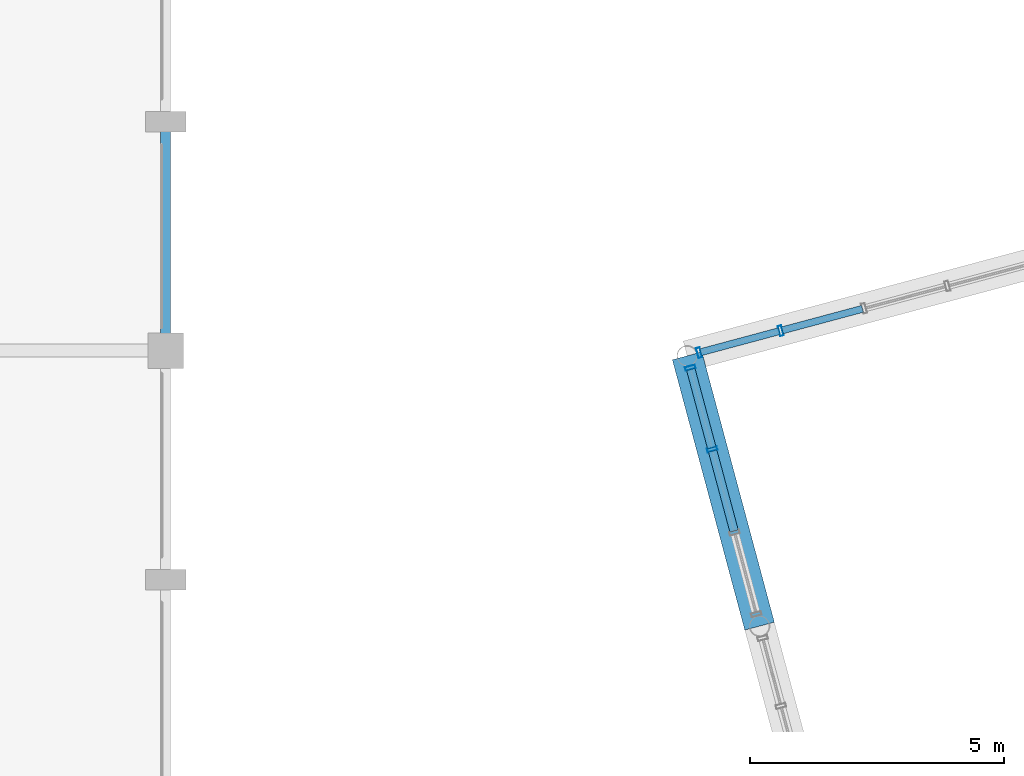
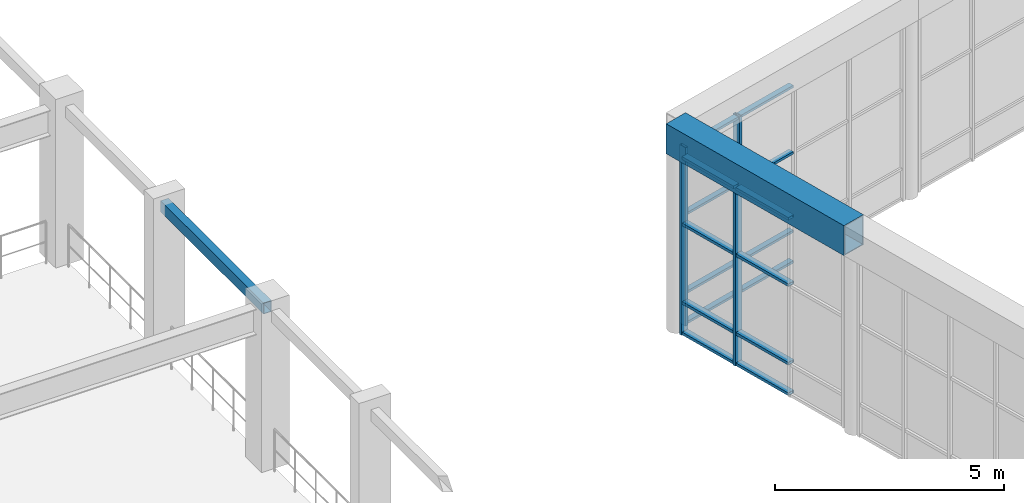
# One storey, part 25 of 55: 20 members, 2 beams, 2 elements without a shape of their own.
"""IFC4 building model written with IfcOpenShell, lengths in metres."""

from ifc_helpers import new_model, si_unit, direction, frame, origin, origin_2d, place, context, subcontext, project, spatial, hollow_rectangle, extrude, material, layer, layer_set, material_profile, profile_set, type_object, element, aggregate, save


model = new_model("IFC4")

# Units and contexts
model_context = context("Model", 3, precision=1e-05, world=origin(), true_north=direction((0.0, 1.0)))
body_context = subcontext(model_context, "Body", "Model", "MODEL_VIEW")
ifc_project = project(units=[si_unit("LENGTHUNIT", "METRE"), si_unit("AREAUNIT", "SQUARE_METRE"), si_unit("VOLUMEUNIT", "CUBIC_METRE"), si_unit("PLANEANGLEUNIT", "RADIAN"), si_unit("MASSUNIT", "GRAM", prefix="KILO")], contexts=[model_context])

# Site, building, storey
site_placement = place(None, origin())
site = spatial("IfcSite", under=ifc_project, at=site_placement, CompositionType="ELEMENT")
building_placement = place(site_placement, origin())
building = spatial("IfcBuilding", under=site, at=building_placement, Name="Ventoquebrada Cableway Terminal", CompositionType="ELEMENT")
storey_placement = place(building_placement, frame((0.0, 0.0, 14.39990234375)))
storey = spatial("IfcBuildingStorey", under=building, at=storey_placement, Name="L03", CompositionType="ELEMENT", Elevation=14.39990234375)

# Curtain wall, members
ifc_material_1 = material(Name="Anodized thermally-broken aluminium", Category="aluminium")
ifc_layer_1 = layer(ifc_material_1, 0.159912109375)
ifc_layer_set_1 = layer_set([ifc_layer_1], Name="Anodized thermally-broken aluminium")
curtain_wall_type_1 = type_object("IfcCurtainWallType", Name="CW-T42", PredefinedType="USERDEFINED", material=ifc_layer_set_1)
curtain_wall_1_placement = place(storey_placement, origin())
curtain_wall_1 = element("IfcCurtainWall", 1, at=curtain_wall_1_placement, inside=storey, type_object=curtain_wall_type_1, Name="Unitised glazed curtain wall CW-120", ObjectType="UNITISED CURTAIN WALL", PredefinedType="USERDEFINED")
ifc_material_profile_1 = material_profile(ifc_material_1, hollow_rectangle(XDim=0.074951171875, YDim=0.199951171875, WallThickness=0.00439453125, at=origin_2d()), Name="CW-MUL-75X200")
ifc_profile_set_1 = profile_set([ifc_material_profile_1], Name="Anodized thermally-broken aluminium")
member_type_1 = type_object("IfcMemberType", Name="CWM-02", PredefinedType="MULLION", material=ifc_profile_set_1)
member_1_placement = place(storey_placement, frame((47.087890625, 95.39111328125, -0.0078125), z_axis=(0.0, 0.0, 1.0), x_axis=(-0.965912273231, -0.258869620506, 0.0)))
member_1 = element("IfcMember", 2, at=member_1_placement, type_object=member_type_1, Name="Curtain wall mullion FML-0584", PredefinedType="MULLION", context=body_context, shape_type="SweptSolid", body=[
    extrude(hollow_rectangle(XDim=0.074951171875, YDim=0.199951171875, WallThickness=0.00439453125, at=origin_2d()), origin(), (0.0, 0.0, 1.0), 4.762939453125),
])
member_2_placement = place(storey_placement, frame((45.48388671875, 94.9609375, -0.0078125), z_axis=(0.0, 0.0, 1.0), x_axis=(-0.965912273231, -0.258869620506, 0.0)))
member_2 = element("IfcMember", 3, at=member_2_placement, type_object=member_type_1, Name="Curtain wall mullion FML-0585", PredefinedType="MULLION", context=body_context, shape_type="SweptSolid", body=[
    extrude(hollow_rectangle(XDim=0.074951171875, YDim=0.199951171875, WallThickness=0.00439453125, at=origin_2d()), origin(), (0.0, 0.0, 1.0), 4.762939453125),
])

ifc_layer_2 = layer(ifc_material_1, 0.159912109375)
ifc_layer_set_2 = layer_set([ifc_layer_2], Name="Anodized thermally-broken aluminium")
curtain_wall_type_2 = type_object("IfcCurtainWallType", Name="CW-T43", PredefinedType="USERDEFINED", material=ifc_layer_set_2)
curtain_wall_2_placement = place(storey_placement, origin())
curtain_wall_2 = element("IfcCurtainWall", 4, at=curtain_wall_2_placement, inside=storey, type_object=curtain_wall_type_2, Name="Unitised glazed curtain wall CW-128", ObjectType="UNITISED CURTAIN WALL", PredefinedType="USERDEFINED")
member_3_placement = place(storey_placement, frame((45.31201171875, 94.6630859375, -0.0078125), z_axis=(0.0, 0.0, 1.0), x_axis=(0.258701033069, -0.965957439792, 0.0)))
member_3 = element("IfcMember", 5, at=member_3_placement, type_object=member_type_1, Name="Curtain wall mullion FML-0622", PredefinedType="MULLION", context=body_context, shape_type="SweptSolid", body=[
    extrude(hollow_rectangle(XDim=0.074951171875, YDim=0.199951171875, WallThickness=0.00439453125, at=origin_2d()), origin(), (0.0, 0.0, 1.0), 4.762939453125),
])
member_4_placement = place(storey_placement, frame((45.740966796875, 93.06005859375, -0.0078125), z_axis=(0.0, 0.0, 1.0), x_axis=(0.258701033069, -0.965957439792, 0.0)))
member_4 = element("IfcMember", 6, at=member_4_placement, type_object=member_type_1, Name="Curtain wall mullion FML-0623", PredefinedType="MULLION", context=body_context, shape_type="SweptSolid", body=[
    extrude(hollow_rectangle(XDim=0.074951171875, YDim=0.199951171875, WallThickness=0.00439453125, at=origin_2d()), origin(), (0.0, 0.0, 1.0), 4.762939453125),
])

# Member
ifc_material_profile_2 = material_profile(ifc_material_1, hollow_rectangle(XDim=0.06494140625, YDim=0.139892578125, WallThickness=0.00390625, at=origin_2d()), Name="CW-TRN-65X140")
ifc_profile_set_2 = profile_set([ifc_material_profile_2], Name="Anodized thermally-broken aluminium")
member_type_2 = type_object("IfcMemberType", Name="CWT-01", PredefinedType="USERDEFINED", material=ifc_profile_set_2)
member_5_placement = place(storey_placement, frame((48.695068359375, 95.822021484375, 0.03515625), z_axis=(-0.965809040644, -0.259254502391, 0.0), x_axis=(0.0, 0.0, 1.0)))
member_5 = element("IfcMember", 7, at=member_5_placement, type_object=member_type_2, Name="Curtain wall transom FTR-1720", ObjectType="TRANSOM", PredefinedType="USERDEFINED", context=body_context, shape_type="SweptSolid", body=[
    extrude(hollow_rectangle(XDim=0.06494140625, YDim=0.139892578125, WallThickness=0.00390625, at=origin_2d()), origin(), (0.0, 0.0, 1.0), 1.632080078125),
])

member_6_placement = place(storey_placement, frame((48.695068359375, 95.822021484375, 0.85009765625), z_axis=(-0.965809040644, -0.259254502391, 0.0), x_axis=(0.0, 0.0, 1.0)))
member_6 = element("IfcMember", 8, at=member_6_placement, type_object=member_type_2, Name="Curtain wall transom FTR-1721", ObjectType="TRANSOM", PredefinedType="USERDEFINED", context=body_context, shape_type="SweptSolid", body=[
    extrude(hollow_rectangle(XDim=0.06494140625, YDim=0.139892578125, WallThickness=0.00390625, at=origin_2d()), origin(), (0.0, 0.0, 1.0), 1.632080078125),
])

member_7_placement = place(storey_placement, frame((48.695068359375, 95.822021484375, 2.945068359375), z_axis=(-0.965809040644, -0.259254502391, 0.0), x_axis=(0.0, 0.0, 1.0)))
member_7 = element("IfcMember", 9, at=member_7_placement, type_object=member_type_2, Name="Curtain wall transom FTR-1722", ObjectType="TRANSOM", PredefinedType="USERDEFINED", context=body_context, shape_type="SweptSolid", body=[
    extrude(hollow_rectangle(XDim=0.06494140625, YDim=0.139892578125, WallThickness=0.00390625, at=origin_2d()), origin(), (0.0, 0.0, 1.0), 1.632080078125),
])

member_8_placement = place(storey_placement, frame((48.695068359375, 95.822021484375, 4.715087890625), z_axis=(-0.965809040644, -0.259254502391, 0.0), x_axis=(0.0, 0.0, 1.0)))
member_8 = element("IfcMember", 10, at=member_8_placement, type_object=member_type_2, Name="Curtain wall transom FTR-1723", ObjectType="TRANSOM", PredefinedType="USERDEFINED", context=body_context, shape_type="SweptSolid", body=[
    extrude(hollow_rectangle(XDim=0.06494140625, YDim=0.139892578125, WallThickness=0.00390625, at=origin_2d()), origin(), (0.0, 0.0, 1.0), 1.632080078125),
])

member_9_placement = place(storey_placement, frame((47.056884765625, 95.383056640625, 0.03515625), z_axis=(-0.965786809484, -0.259337306663, 0.0), x_axis=(0.0, 0.0, 1.0)))
member_9 = element("IfcMember", 11, at=member_9_placement, type_object=member_type_2, Name="Curtain wall transom FTR-1724", ObjectType="TRANSOM", PredefinedType="USERDEFINED", context=body_context, shape_type="SweptSolid", body=[
    extrude(hollow_rectangle(XDim=0.06494140625, YDim=0.139892578125, WallThickness=0.00390625, at=origin_2d()), origin(), (0.0, 0.0, 1.0), 1.5966796875),
])

member_10_placement = place(storey_placement, frame((47.056884765625, 95.383056640625, 0.85009765625), z_axis=(-0.965786809484, -0.259337306663, 0.0), x_axis=(0.0, 0.0, 1.0)))
member_10 = element("IfcMember", 12, at=member_10_placement, type_object=member_type_2, Name="Curtain wall transom FTR-1725", ObjectType="TRANSOM", PredefinedType="USERDEFINED", context=body_context, shape_type="SweptSolid", body=[
    extrude(hollow_rectangle(XDim=0.06494140625, YDim=0.139892578125, WallThickness=0.00390625, at=origin_2d()), origin(), (0.0, 0.0, 1.0), 1.5966796875),
])

member_11_placement = place(storey_placement, frame((47.056884765625, 95.383056640625, 2.945068359375), z_axis=(-0.965786809484, -0.259337306663, 0.0), x_axis=(0.0, 0.0, 1.0)))
member_11 = element("IfcMember", 13, at=member_11_placement, type_object=member_type_2, Name="Curtain wall transom FTR-1726", ObjectType="TRANSOM", PredefinedType="USERDEFINED", context=body_context, shape_type="SweptSolid", body=[
    extrude(hollow_rectangle(XDim=0.06494140625, YDim=0.139892578125, WallThickness=0.00390625, at=origin_2d()), origin(), (0.0, 0.0, 1.0), 1.5966796875),
])

member_12_placement = place(storey_placement, frame((47.056884765625, 95.383056640625, 4.715087890625), z_axis=(-0.965786809484, -0.259337306663, 0.0), x_axis=(0.0, 0.0, 1.0)))
member_12 = element("IfcMember", 14, at=member_12_placement, type_object=member_type_2, Name="Curtain wall transom FTR-1727", ObjectType="TRANSOM", PredefinedType="USERDEFINED", context=body_context, shape_type="SweptSolid", body=[
    extrude(hollow_rectangle(XDim=0.06494140625, YDim=0.139892578125, WallThickness=0.00390625, at=origin_2d()), origin(), (0.0, 0.0, 1.0), 1.5966796875),
])

aggregate(curtain_wall_1, [member_1, member_2, member_5, member_6, member_7, member_8, member_9, member_10, member_11, member_12])

ifc_material_profile_3 = material_profile(ifc_material_1, hollow_rectangle(XDim=0.074951171875, YDim=0.169921875, WallThickness=0.00439453125, at=origin_2d()), Name="CW-TRN-75X170")
ifc_profile_set_3 = profile_set([ifc_material_profile_3], Name="Anodized thermally-broken aluminium")
member_type_3 = type_object("IfcMemberType", Name="CWT-03", PredefinedType="USERDEFINED", material=ifc_profile_set_3)
member_13_placement = place(storey_placement, frame((45.320068359375, 94.632080078125, 0.03515625), z_axis=(0.258929977343, -0.965896095257, 0.0), x_axis=(0.0, 0.0, 1.0)))
member_13 = element("IfcMember", 15, at=member_13_placement, type_object=member_type_3, Name="Curtain wall transom FTR-1844", ObjectType="TRANSOM", PredefinedType="USERDEFINED", context=body_context, shape_type="SweptSolid", body=[
    extrude(hollow_rectangle(XDim=0.074951171875, YDim=0.169921875, WallThickness=0.00439453125, at=origin_2d()), origin(), (0.0, 0.0, 1.0), 1.594482421875),
])

member_14_placement = place(storey_placement, frame((45.320068359375, 94.632080078125, 0.85009765625), z_axis=(0.258929977343, -0.965896095257, 0.0), x_axis=(0.0, 0.0, 1.0)))
member_14 = element("IfcMember", 16, at=member_14_placement, type_object=member_type_3, Name="Curtain wall transom FTR-1845", ObjectType="TRANSOM", PredefinedType="USERDEFINED", context=body_context, shape_type="SweptSolid", body=[
    extrude(hollow_rectangle(XDim=0.074951171875, YDim=0.169921875, WallThickness=0.00439453125, at=origin_2d()), origin(), (0.0, 0.0, 1.0), 1.594482421875),
])

member_15_placement = place(storey_placement, frame((45.320068359375, 94.632080078125, 2.945068359375), z_axis=(0.258929977343, -0.965896095257, 0.0), x_axis=(0.0, 0.0, 1.0)))
member_15 = element("IfcMember", 17, at=member_15_placement, type_object=member_type_3, Name="Curtain wall transom FTR-1846", ObjectType="TRANSOM", PredefinedType="USERDEFINED", context=body_context, shape_type="SweptSolid", body=[
    extrude(hollow_rectangle(XDim=0.074951171875, YDim=0.169921875, WallThickness=0.00439453125, at=origin_2d()), origin(), (0.0, 0.0, 1.0), 1.594482421875),
])

member_16_placement = place(storey_placement, frame((45.320068359375, 94.632080078125, 4.715087890625), z_axis=(0.258929977343, -0.965896095257, 0.0), x_axis=(0.0, 0.0, 1.0)))
member_16 = element("IfcMember", 18, at=member_16_placement, type_object=member_type_3, Name="Curtain wall transom FTR-1847", ObjectType="TRANSOM", PredefinedType="USERDEFINED", context=body_context, shape_type="SweptSolid", body=[
    extrude(hollow_rectangle(XDim=0.074951171875, YDim=0.169921875, WallThickness=0.00439453125, at=origin_2d()), origin(), (0.0, 0.0, 1.0), 1.594482421875),
])

member_17_placement = place(storey_placement, frame((45.75, 93.029052734375, 0.03515625), z_axis=(0.258334096322, -0.966055637465, 0.0), x_axis=(0.0, 0.0, 1.0)))
member_17 = element("IfcMember", 19, at=member_17_placement, type_object=member_type_3, Name="Curtain wall transom FTR-1848", ObjectType="TRANSOM", PredefinedType="USERDEFINED", context=body_context, shape_type="SweptSolid", body=[
    extrude(hollow_rectangle(XDim=0.074951171875, YDim=0.169921875, WallThickness=0.00439453125, at=origin_2d()), origin(), (0.0, 0.0, 1.0), 1.62939453125),
])

member_18_placement = place(storey_placement, frame((45.75, 93.029052734375, 0.85009765625), z_axis=(0.258334096322, -0.966055637465, 0.0), x_axis=(0.0, 0.0, 1.0)))
member_18 = element("IfcMember", 20, at=member_18_placement, type_object=member_type_3, Name="Curtain wall transom FTR-1849", ObjectType="TRANSOM", PredefinedType="USERDEFINED", context=body_context, shape_type="SweptSolid", body=[
    extrude(hollow_rectangle(XDim=0.074951171875, YDim=0.169921875, WallThickness=0.00439453125, at=origin_2d()), origin(), (0.0, 0.0, 1.0), 1.62939453125),
])

member_19_placement = place(storey_placement, frame((45.75, 93.029052734375, 2.945068359375), z_axis=(0.258334096322, -0.966055637465, 0.0), x_axis=(0.0, 0.0, 1.0)))
member_19 = element("IfcMember", 21, at=member_19_placement, type_object=member_type_3, Name="Curtain wall transom FTR-1850", ObjectType="TRANSOM", PredefinedType="USERDEFINED", context=body_context, shape_type="SweptSolid", body=[
    extrude(hollow_rectangle(XDim=0.074951171875, YDim=0.169921875, WallThickness=0.00439453125, at=origin_2d()), origin(), (0.0, 0.0, 1.0), 1.62939453125),
])

member_20_placement = place(storey_placement, frame((45.75, 93.029052734375, 4.715087890625), z_axis=(0.258334096322, -0.966055637465, 0.0), x_axis=(0.0, 0.0, 1.0)))
member_20 = element("IfcMember", 22, at=member_20_placement, type_object=member_type_3, Name="Curtain wall transom FTR-1851", ObjectType="TRANSOM", PredefinedType="USERDEFINED", context=body_context, shape_type="SweptSolid", body=[
    extrude(hollow_rectangle(XDim=0.074951171875, YDim=0.169921875, WallThickness=0.00439453125, at=origin_2d()), origin(), (0.0, 0.0, 1.0), 1.62939453125),
])

aggregate(curtain_wall_2, [member_3, member_4, member_13, member_14, member_15, member_16, member_17, member_18, member_19, member_20])

# Beams
ifc_material_2 = material(Name="Steel ASTM A572 Grade 50", Category="steel")
ifc_material_profile_4 = material_profile(ifc_material_2, hollow_rectangle(XDim=0.60009765625, YDim=0.800048828125, WallThickness=0.02490234375, at=origin_2d()), Name="BOX600X800X25")
ifc_profile_set_4 = profile_set([ifc_material_profile_4], Name="Steel ASTM A572 Grade 50")
beam_type_1 = type_object("IfcBeamType", Name="RNG-ST01", PredefinedType="BEAM", material=ifc_profile_set_4)
beam_1_placement = place(storey_placement, frame((46.672119140625, 89.5859375, 5.2001953125), z_axis=(-0.25877602824, 0.965937351596, 0.0), x_axis=(-0.965937351596, -0.25877602824, 0.0)))
element("IfcBeam", 23, at=beam_1_placement, inside=storey, type_object=beam_type_1, Name="Gridshell compression-tension ring beam FBM-1131", PredefinedType="BEAM", context=body_context, shape_type="SweptSolid", body=[
    extrude(hollow_rectangle(XDim=0.60009765625, YDim=0.800048828125, WallThickness=0.02490234375, at=origin_2d()), origin(), (0.0, 0.0, 1.0), 5.499267578125),
])
ifc_material_3 = material(Name="Steel ASTM A500 Grade C", Category="steel")
ifc_material_profile_5 = material_profile(ifc_material_3, hollow_rectangle(XDim=0.199951171875, YDim=0.300048828125, WallThickness=0.012451171875, at=origin_2d()), Name="RHS300X200X12.5")
ifc_profile_set_5 = profile_set([ifc_material_profile_5], Name="Steel ASTM A500 Grade C")
beam_type_2 = type_object("IfcBeamType", Name="SP-ST02", PredefinedType="SPANDREL", material=ifc_profile_set_5)
beam_2_placement = place(storey_placement, frame((35.0, 95.0, 4.080078125), z_axis=(0.0, 1.0, 0.0), x_axis=(-1.0, 0.0, 0.0)))
element("IfcBeam", 24, at=beam_2_placement, inside=storey, type_object=beam_type_2, Name="Perimeter spandrel beam FBM-0527", PredefinedType="SPANDREL", context=body_context, shape_type="SweptSolid", body=[
    extrude(hollow_rectangle(XDim=0.199951171875, YDim=0.300048828125, WallThickness=0.012451171875, at=origin_2d()), origin(), (0.0, 0.0, 1.0), 4.5),
])

save(model, "model.ifc")
